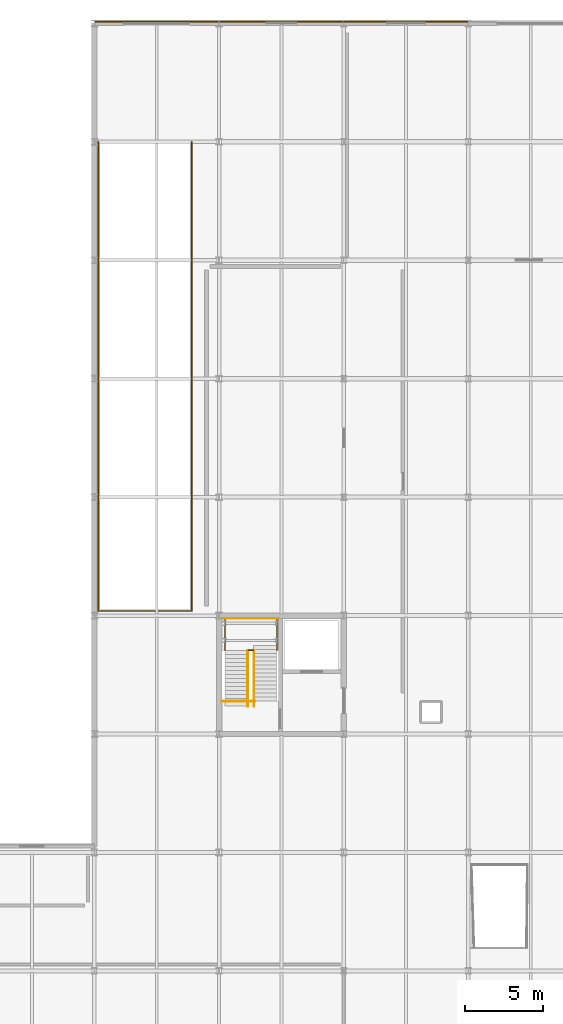
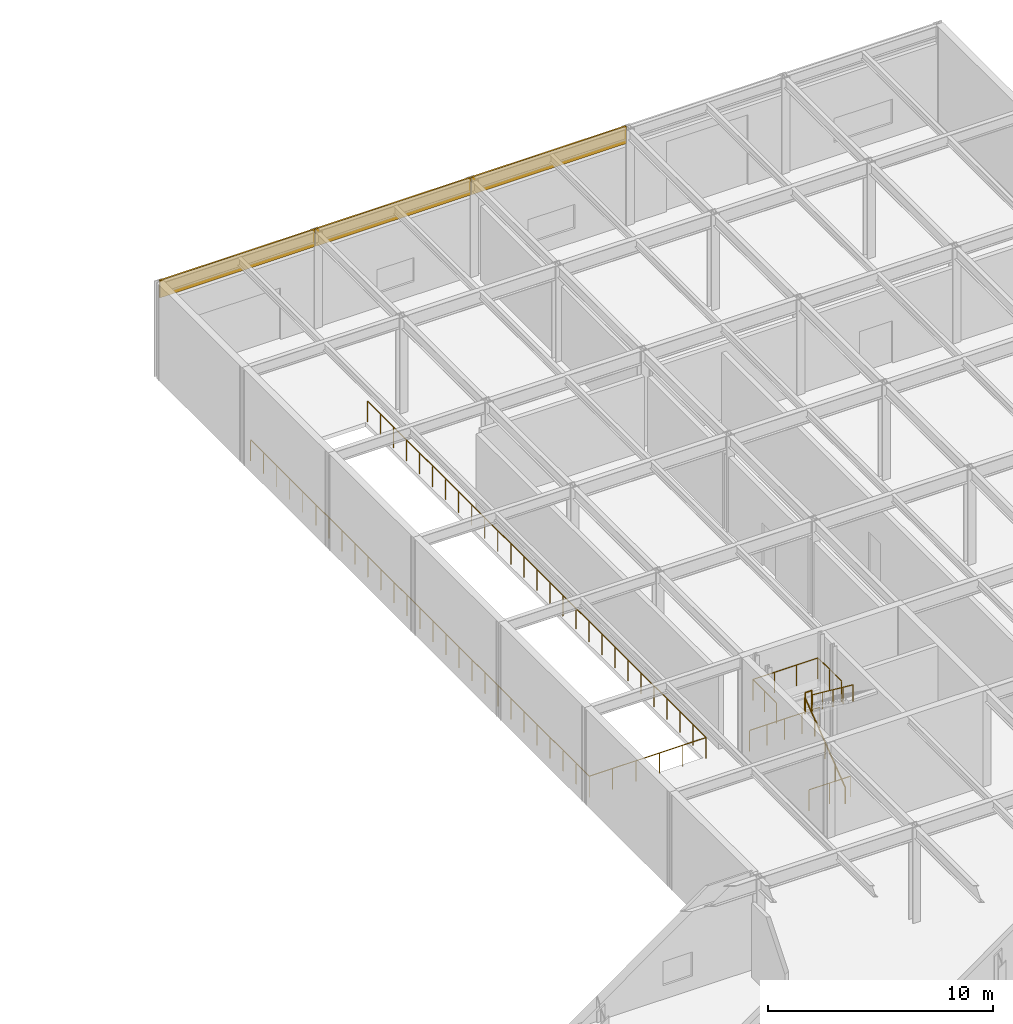
# One storey, part 59 of 62: 7 railings, 3 coverings.
"""IFC4 building model written with IfcOpenShell, lengths in metres."""

from ifc_helpers import new_model, si_unit, direction, frame, origin, origin_2d, place, context, subcontext, project, spatial, rectangle, circle, extrude, material, layer, layer_set, type_object, element, save


model = new_model("IFC4")

# Units and contexts
model_context = context("Model", 3, precision=1e-05, world=origin(), true_north=direction((0.0, 1.0)))
body_context = subcontext(model_context, "Body", "Model", "MODEL_VIEW")
ifc_project = project(units=[si_unit("LENGTHUNIT", "METRE"), si_unit("AREAUNIT", "SQUARE_METRE"), si_unit("VOLUMEUNIT", "CUBIC_METRE"), si_unit("PLANEANGLEUNIT", "RADIAN"), si_unit("MASSUNIT", "GRAM", prefix="KILO")], contexts=[model_context])

# Site, building, storey
site_placement = place(None, origin())
site = spatial("IfcSite", under=ifc_project, at=site_placement, CompositionType="ELEMENT")
building_placement = place(site_placement, origin())
building = spatial("IfcBuilding", under=site, at=building_placement, Name="Zulena Civic Courthouse", CompositionType="ELEMENT")
storey_placement = place(building_placement, origin())
storey = spatial("IfcBuildingStorey", under=building, at=storey_placement, Name="L00", CompositionType="ELEMENT", Elevation=0.0)

# Railings
ifc_material_1 = material(Name="Brushed architectural steel ASTM A36", Category="steel")
railing_type_1 = type_object("IfcRailingType", Name="InteriorGuardrail_1150", PredefinedType="GUARDRAIL", material=ifc_material_1)
railing_1_placement = place(storey_placement, frame((76.199951171875, 75.81005859375, 0.0)))
element("IfcRailing", 1, at=railing_1_placement, inside=storey, type_object=railing_type_1, Name="gr:wellN:K5B:B01", PredefinedType="GUARDRAIL", context=body_context, shape_type="SweptSolid", body=[
    extrude(circle(Radius=0.02392578125, at=origin_2d()), frame((0.00390625, 0.0, 1.1259765625), z_axis=(1.0, 0.0, 0.0), x_axis=(0.0, 1.0, 0.0)), (0.0, 0.0, 1.0), 3.592041015625),
    extrude(circle(Radius=0.02099609375, at=origin_2d()), origin(), (0.0, 0.0, 1.0), 1.097900390625),
    extrude(circle(Radius=0.02099609375, at=origin_2d()), frame((0.89990234375, 0.0, 0.0)), (0.0, 0.0, 1.0), 1.097900390625),
    extrude(circle(Radius=0.02099609375, at=origin_2d()), frame((1.800048828125, 0.0, 0.0)), (0.0, 0.0, 1.0), 1.097900390625),
    extrude(circle(Radius=0.02099609375, at=origin_2d()), frame((2.7001953125, 0.0, 0.0)), (0.0, 0.0, 1.0), 1.097900390625),
    extrude(circle(Radius=0.02099609375, at=origin_2d()), frame((3.60009765625, 0.0, 0.0)), (0.0, 0.0, 1.0), 1.097900390625),
])
railing_2_placement = place(storey_placement, frame((76.179931640625, 70.5, 0.0)))
element("IfcRailing", 2, at=railing_2_placement, inside=storey, type_object=railing_type_1, Name="gr:wells:K5B:L00", PredefinedType="GUARDRAIL", context=body_context, shape_type="SweptSolid", body=[
    extrude(circle(Radius=0.02392578125, at=origin_2d()), frame((0.00390625, 0.0, 1.1259765625), z_axis=(1.0, 0.0, 0.0), x_axis=(0.0, 1.0, 0.0)), (0.0, 0.0, 1.0), 2.112060546875),
    extrude(circle(Radius=0.02099609375, at=origin_2d()), origin(), (0.0, 0.0, 1.0), 1.097900390625),
    extrude(circle(Radius=0.02099609375, at=origin_2d()), frame((1.06005859375, 0.0, 0.0)), (0.0, 0.0, 1.0), 1.097900390625),
    extrude(circle(Radius=0.02099609375, at=origin_2d()), frame((2.1201171875, 0.0, 0.0)), (0.0, 0.0, 1.0), 1.097900390625),
])
railing_3_placement = place(storey_placement, frame((76.3798828125, 73.74951171875, 2.699951171875)))
element("IfcRailing", 3, at=railing_3_placement, inside=storey, type_object=railing_type_1, Name="gr:lnd:K5B:L00", PredefinedType="GUARDRAIL", context=body_context, shape_type="SweptSolid", body=[
    extrude(circle(Radius=0.02392578125, at=origin_2d()), frame((0.0, 0.00390625, 1.1259765625), z_axis=(0.0, 1.0, 0.0), x_axis=(-1.0, 0.0, 0.0)), (0.0, 0.0, 1.0), 2.0625),
    extrude(circle(Radius=0.02392578125, at=origin_2d()), frame((0.00390625, 2.070556640625, 1.1259765625), z_axis=(1.0, 0.0, 0.0), x_axis=(0.0, 1.0, 0.0)), (0.0, 0.0, 1.0), 3.33203125),
    extrude(circle(Radius=0.02392578125, at=origin_2d()), frame((3.340087890625, 2.066650390625, 1.1259765625), z_axis=(0.0, -1.0, 0.0), x_axis=(1.0, 0.0, 0.0)), (0.0, 0.0, 1.0), 2.0625),
    extrude(circle(Radius=0.02099609375, at=origin_2d()), origin(), (0.0, 0.0, 1.0), 1.097900390625),
    extrude(circle(Radius=0.02099609375, at=origin_2d()), frame((0.0, 1.03515625, 0.0)), (0.0, 0.0, 1.0), 1.097900390625),
    extrude(circle(Radius=0.02099609375, at=origin_2d()), frame((0.0, 2.070556640625, 0.0)), (0.0, 0.0, 1.0), 1.097900390625),
    extrude(circle(Radius=0.02099609375, at=origin_2d()), frame((1.11328125, 2.070556640625, 0.0)), (0.0, 0.0, 1.0), 1.097900390625),
    extrude(circle(Radius=0.02099609375, at=origin_2d()), frame((2.226806640625, 2.070556640625, 0.0)), (0.0, 0.0, 1.0), 1.097900390625),
    extrude(circle(Radius=0.02099609375, at=origin_2d()), frame((3.340087890625, 2.070556640625, 0.0)), (0.0, 0.0, 1.0), 1.097900390625),
    extrude(circle(Radius=0.02099609375, at=origin_2d()), frame((3.340087890625, 1.03515625, 0.0)), (0.0, 0.0, 1.0), 1.097900390625),
    extrude(circle(Radius=0.02099609375, at=origin_2d()), frame((3.340087890625, 0.0, 0.0)), (0.0, 0.0, 1.0), 1.097900390625),
])
railing_4_placement = place(storey_placement, frame((77.8798828125, 73.77001953125, 2.699951171875)))
element("IfcRailing", 4, at=railing_4_placement, inside=storey, type_object=railing_type_1, Name="gr:lndslot:K5B:L00", PredefinedType="GUARDRAIL", context=body_context, shape_type="SweptSolid", body=[
    extrude(circle(Radius=0.02392578125, at=origin_2d()), frame((0.00390625, 0.0, 1.1259765625), z_axis=(1.0, 0.0, 0.0), x_axis=(0.0, 1.0, 0.0)), (0.0, 0.0, 1.0), 0.33203125),
    extrude(circle(Radius=0.02099609375, at=origin_2d()), origin(), (0.0, 0.0, 1.0), 1.097900390625),
    extrude(circle(Radius=0.02099609375, at=origin_2d()), frame((0.340087890625, 0.0, 0.0)), (0.0, 0.0, 1.0), 1.097900390625),
])
railing_5_placement = place(storey_placement, frame((68.25, 106.39990234375, 0.0)))
element("IfcRailing", 5, at=railing_5_placement, inside=storey, type_object=railing_type_1, Name="guard:void:V5:L00:ramp", PredefinedType="GUARDRAIL", context=body_context, shape_type="SweptSolid", body=[
    extrude(circle(Radius=0.02392578125, at=origin_2d()), frame((0.0, -0.00390625, 1.1259765625), z_axis=(0.0, -1.0, 0.0), x_axis=(1.0, 0.0, 0.0)), (0.0, 0.0, 1.0), 30.091796875),
    extrude(circle(Radius=0.02392578125, at=origin_2d()), frame((0.00390625, -30.099853515625, 1.1259765625), z_axis=(1.0, 0.0, 0.0), x_axis=(0.0, 1.0, 0.0)), (0.0, 0.0, 1.0), 5.991943359375),
    extrude(circle(Radius=0.02392578125, at=origin_2d()), frame((6.0, -30.095947265625, 1.1259765625), z_axis=(0.0, 1.0, 0.0), x_axis=(-1.0, 0.0, 0.0)), (0.0, 0.0, 1.0), 30.091796875),
    extrude(circle(Radius=0.02099609375, at=origin_2d()), origin(), (0.0, 0.0, 1.0), 1.097900390625),
    extrude(circle(Radius=0.02099609375, at=origin_2d()), frame((0.0, -1.15771484375, 0.0)), (0.0, 0.0, 1.0), 1.097900390625),
    extrude(circle(Radius=0.02099609375, at=origin_2d()), frame((0.0, -2.3154296875, 0.0)), (0.0, 0.0, 1.0), 1.097900390625),
    extrude(circle(Radius=0.02099609375, at=origin_2d()), frame((0.0, -3.47314453125, 0.0)), (0.0, 0.0, 1.0), 1.097900390625),
    extrude(circle(Radius=0.02099609375, at=origin_2d()), frame((0.0, -4.630859375, 0.0)), (0.0, 0.0, 1.0), 1.097900390625),
    extrude(circle(Radius=0.02099609375, at=origin_2d()), frame((0.0, -5.788330078125, 0.0)), (0.0, 0.0, 1.0), 1.097900390625),
    extrude(circle(Radius=0.02099609375, at=origin_2d()), frame((0.0, -6.946044921875, 0.0)), (0.0, 0.0, 1.0), 1.097900390625),
    extrude(circle(Radius=0.02099609375, at=origin_2d()), frame((0.0, -8.103759765625, 0.0)), (0.0, 0.0, 1.0), 1.097900390625),
    extrude(circle(Radius=0.02099609375, at=origin_2d()), frame((0.0, -9.261474609375, 0.0)), (0.0, 0.0, 1.0), 1.097900390625),
    extrude(circle(Radius=0.02099609375, at=origin_2d()), frame((0.0, -10.419189453125, 0.0)), (0.0, 0.0, 1.0), 1.097900390625),
    extrude(circle(Radius=0.02099609375, at=origin_2d()), frame((0.0, -11.576904296875, 0.0)), (0.0, 0.0, 1.0), 1.097900390625),
    extrude(circle(Radius=0.02099609375, at=origin_2d()), frame((0.0, -12.734619140625, 0.0)), (0.0, 0.0, 1.0), 1.097900390625),
    extrude(circle(Radius=0.02099609375, at=origin_2d()), frame((0.0, -13.892333984375, 0.0)), (0.0, 0.0, 1.0), 1.097900390625),
    extrude(circle(Radius=0.02099609375, at=origin_2d()), frame((0.0, -15.0498046875, 0.0)), (0.0, 0.0, 1.0), 1.097900390625),
    extrude(circle(Radius=0.02099609375, at=origin_2d()), frame((0.0, -16.20751953125, 0.0)), (0.0, 0.0, 1.0), 1.097900390625),
    extrude(circle(Radius=0.02099609375, at=origin_2d()), frame((0.0, -17.365234375, 0.0)), (0.0, 0.0, 1.0), 1.097900390625),
    extrude(circle(Radius=0.02099609375, at=origin_2d()), frame((0.0, -18.52294921875, 0.0)), (0.0, 0.0, 1.0), 1.097900390625),
    extrude(circle(Radius=0.02099609375, at=origin_2d()), frame((0.0, -19.6806640625, 0.0)), (0.0, 0.0, 1.0), 1.097900390625),
    extrude(circle(Radius=0.02099609375, at=origin_2d()), frame((0.0, -20.83837890625, 0.0)), (0.0, 0.0, 1.0), 1.097900390625),
    extrude(circle(Radius=0.02099609375, at=origin_2d()), frame((0.0, -21.99609375, 0.0)), (0.0, 0.0, 1.0), 1.097900390625),
    extrude(circle(Radius=0.02099609375, at=origin_2d()), frame((0.0, -23.15380859375, 0.0)), (0.0, 0.0, 1.0), 1.097900390625),
    extrude(circle(Radius=0.02099609375, at=origin_2d()), frame((0.0, -24.3115234375, 0.0)), (0.0, 0.0, 1.0), 1.097900390625),
    extrude(circle(Radius=0.02099609375, at=origin_2d()), frame((0.0, -25.468994140625, 0.0)), (0.0, 0.0, 1.0), 1.097900390625),
    extrude(circle(Radius=0.02099609375, at=origin_2d()), frame((0.0, -26.626708984375, 0.0)), (0.0, 0.0, 1.0), 1.097900390625),
    extrude(circle(Radius=0.02099609375, at=origin_2d()), frame((0.0, -27.784423828125, 0.0)), (0.0, 0.0, 1.0), 1.097900390625),
    extrude(circle(Radius=0.02099609375, at=origin_2d()), frame((0.0, -28.942138671875, 0.0)), (0.0, 0.0, 1.0), 1.097900390625),
    extrude(circle(Radius=0.02099609375, at=origin_2d()), frame((0.0, -30.099853515625, 0.0)), (0.0, 0.0, 1.0), 1.097900390625),
    extrude(circle(Radius=0.02099609375, at=origin_2d()), frame((1.199951171875, -30.099853515625, 0.0)), (0.0, 0.0, 1.0), 1.097900390625),
    extrude(circle(Radius=0.02099609375, at=origin_2d()), frame((2.39990234375, -30.099853515625, 0.0)), (0.0, 0.0, 1.0), 1.097900390625),
    extrude(circle(Radius=0.02099609375, at=origin_2d()), frame((3.60009765625, -30.099853515625, 0.0)), (0.0, 0.0, 1.0), 1.097900390625),
    extrude(circle(Radius=0.02099609375, at=origin_2d()), frame((4.800048828125, -30.099853515625, 0.0)), (0.0, 0.0, 1.0), 1.097900390625),
    extrude(circle(Radius=0.02099609375, at=origin_2d()), frame((6.0, -30.099853515625, 0.0)), (0.0, 0.0, 1.0), 1.097900390625),
    extrude(circle(Radius=0.02099609375, at=origin_2d()), frame((6.0, -28.942138671875, 0.0)), (0.0, 0.0, 1.0), 1.097900390625),
    extrude(circle(Radius=0.02099609375, at=origin_2d()), frame((6.0, -27.784423828125, 0.0)), (0.0, 0.0, 1.0), 1.097900390625),
    extrude(circle(Radius=0.02099609375, at=origin_2d()), frame((6.0, -26.626708984375, 0.0)), (0.0, 0.0, 1.0), 1.097900390625),
    extrude(circle(Radius=0.02099609375, at=origin_2d()), frame((6.0, -25.468994140625, 0.0)), (0.0, 0.0, 1.0), 1.097900390625),
    extrude(circle(Radius=0.02099609375, at=origin_2d()), frame((6.0, -24.3115234375, 0.0)), (0.0, 0.0, 1.0), 1.097900390625),
    extrude(circle(Radius=0.02099609375, at=origin_2d()), frame((6.0, -23.15380859375, 0.0)), (0.0, 0.0, 1.0), 1.097900390625),
    extrude(circle(Radius=0.02099609375, at=origin_2d()), frame((6.0, -21.99609375, 0.0)), (0.0, 0.0, 1.0), 1.097900390625),
    extrude(circle(Radius=0.02099609375, at=origin_2d()), frame((6.0, -20.83837890625, 0.0)), (0.0, 0.0, 1.0), 1.097900390625),
    extrude(circle(Radius=0.02099609375, at=origin_2d()), frame((6.0, -19.6806640625, 0.0)), (0.0, 0.0, 1.0), 1.097900390625),
    extrude(circle(Radius=0.02099609375, at=origin_2d()), frame((6.0, -18.52294921875, 0.0)), (0.0, 0.0, 1.0), 1.097900390625),
    extrude(circle(Radius=0.02099609375, at=origin_2d()), frame((6.0, -17.365234375, 0.0)), (0.0, 0.0, 1.0), 1.097900390625),
    extrude(circle(Radius=0.02099609375, at=origin_2d()), frame((6.0, -16.20751953125, 0.0)), (0.0, 0.0, 1.0), 1.097900390625),
    extrude(circle(Radius=0.02099609375, at=origin_2d()), frame((6.0, -15.0498046875, 0.0)), (0.0, 0.0, 1.0), 1.097900390625),
    extrude(circle(Radius=0.02099609375, at=origin_2d()), frame((6.0, -13.892333984375, 0.0)), (0.0, 0.0, 1.0), 1.097900390625),
    extrude(circle(Radius=0.02099609375, at=origin_2d()), frame((6.0, -12.734619140625, 0.0)), (0.0, 0.0, 1.0), 1.097900390625),
    extrude(circle(Radius=0.02099609375, at=origin_2d()), frame((6.0, -11.576904296875, 0.0)), (0.0, 0.0, 1.0), 1.097900390625),
    extrude(circle(Radius=0.02099609375, at=origin_2d()), frame((6.0, -10.419189453125, 0.0)), (0.0, 0.0, 1.0), 1.097900390625),
    extrude(circle(Radius=0.02099609375, at=origin_2d()), frame((6.0, -9.261474609375, 0.0)), (0.0, 0.0, 1.0), 1.097900390625),
    extrude(circle(Radius=0.02099609375, at=origin_2d()), frame((6.0, -8.103759765625, 0.0)), (0.0, 0.0, 1.0), 1.097900390625),
    extrude(circle(Radius=0.02099609375, at=origin_2d()), frame((6.0, -6.946044921875, 0.0)), (0.0, 0.0, 1.0), 1.097900390625),
    extrude(circle(Radius=0.02099609375, at=origin_2d()), frame((6.0, -5.788330078125, 0.0)), (0.0, 0.0, 1.0), 1.097900390625),
    extrude(circle(Radius=0.02099609375, at=origin_2d()), frame((6.0, -4.630859375, 0.0)), (0.0, 0.0, 1.0), 1.097900390625),
    extrude(circle(Radius=0.02099609375, at=origin_2d()), frame((6.0, -3.47314453125, 0.0)), (0.0, 0.0, 1.0), 1.097900390625),
    extrude(circle(Radius=0.02099609375, at=origin_2d()), frame((6.0, -2.3154296875, 0.0)), (0.0, 0.0, 1.0), 1.097900390625),
    extrude(circle(Radius=0.02099609375, at=origin_2d()), frame((6.0, -1.15771484375, 0.0)), (0.0, 0.0, 1.0), 1.097900390625),
    extrude(circle(Radius=0.02099609375, at=origin_2d()), frame((6.0, 0.0, 0.0)), (0.0, 0.0, 1.0), 1.097900390625),
])

# Coverings
ifc_material_2 = material(Name="White architectural precast concrete C40/50", Category="concrete")
ifc_layer = layer(ifc_material_2, 0.0849609375)
ifc_layer_set = layer_set([ifc_layer], Name="White architectural precast concrete C40/50")
covering_type = type_object("IfcCoveringType", Name="PrecastSpandrelCladding_85", PredefinedType="CLADDING", material=ifc_layer_set)
for number, where, z_axis, x_axis, name in (
    (6, (72.0, 114.1201171875, 4.25), (0.0, 0.0, 1.0), (1.0, 0.0, 0.0), "clad:sp:V5:L00:3:0"),
    (7, (80.0, 114.1201171875, 4.25), (0.0, 0.0, 1.0), (1.0, 0.0, 0.0), "clad:sp:V5:L00:3:1"),
    (8, (88.0, 114.1201171875, 4.25), (0.0, 0.0, 1.0), (1.0, 0.0, 0.0), "clad:sp:V5:L00:3:2"),
):
    element("IfcCovering", number, at=place(storey_placement, frame(where, z_axis=z_axis, x_axis=x_axis)), inside=storey, type_object=covering_type, Name=name, PredefinedType="CLADDING", context=body_context, shape_type="SweptSolid", body=[
        extrude(rectangle(XDim=7.9599609375, YDim=0.0849609375, at=origin_2d()), origin(), (0.0, 0.0, 1.0), 0.93994140625),
    ])

# Railings
railing_type_2 = type_object("IfcRailingType", Name="StairHandrail_920", PredefinedType="HANDRAIL", material=ifc_material_1)
railing_6_placement = place(storey_placement, frame((77.85009765625, 70.179931640625, 0.0)))
element("IfcRailing", 9, at=railing_6_placement, inside=storey, type_object=railing_type_2, Name="hr:K5B:L00:1", PredefinedType="HANDRAIL", context=body_context, shape_type="SweptSolid", body=[
    extrude(circle(Radius=0.02392578125, at=origin_2d()), frame((0.0, 0.003173828125, 0.898193359375), z_axis=(0.0, 0.797551790998, 0.603250479218), x_axis=(-1.0, 0.0, 0.0)), (0.0, 0.0, 1.0), 4.4677734375),
    extrude(circle(Radius=0.02099609375, at=origin_2d()), origin(), (0.0, 0.0, 1.0), 0.867919921875),
    extrude(circle(Radius=0.02099609375, at=origin_2d()), frame((0.0, 0.892333984375, 0.675048828125)), (0.0, 0.0, 1.0), 0.867919921875),
    extrude(circle(Radius=0.02099609375, at=origin_2d()), frame((0.0, 1.78466796875, 1.35009765625)), (0.0, 0.0, 1.0), 0.867919921875),
    extrude(circle(Radius=0.02099609375, at=origin_2d()), frame((0.0, 2.67724609375, 2.02490234375)), (0.0, 0.0, 1.0), 0.867919921875),
    extrude(circle(Radius=0.02099609375, at=origin_2d()), frame((0.0, 3.569580078125, 2.699951171875)), (0.0, 0.0, 1.0), 0.867919921875),
])
railing_7_placement = place(storey_placement, frame((78.25, 73.74951171875, 2.699951171875)))
element("IfcRailing", 10, at=railing_7_placement, inside=storey, type_object=railing_type_2, Name="hr:K5B:L00:2", PredefinedType="HANDRAIL", context=body_context, shape_type="SweptSolid", body=[
    extrude(circle(Radius=0.02392578125, at=origin_2d()), frame((0.0, -0.003173828125, 0.898193359375), z_axis=(0.0, -0.797551790998, 0.603250479218), x_axis=(1.0, 0.0, 0.0)), (0.0, 0.0, 1.0), 4.4677734375),
    extrude(circle(Radius=0.02099609375, at=origin_2d()), origin(), (0.0, 0.0, 1.0), 0.867919921875),
    extrude(circle(Radius=0.02099609375, at=origin_2d()), frame((0.0, -0.892333984375, 0.675048828125)), (0.0, 0.0, 1.0), 0.867919921875),
    extrude(circle(Radius=0.02099609375, at=origin_2d()), frame((0.0, -1.78466796875, 1.35009765625)), (0.0, 0.0, 1.0), 0.867919921875),
    extrude(circle(Radius=0.02099609375, at=origin_2d()), frame((0.0, -2.67724609375, 2.02490234375)), (0.0, 0.0, 1.0), 0.867919921875),
    extrude(circle(Radius=0.02099609375, at=origin_2d()), frame((0.0, -3.569580078125, 2.699951171875)), (0.0, 0.0, 1.0), 0.867919921875),
])

save(model, "model.ifc")
